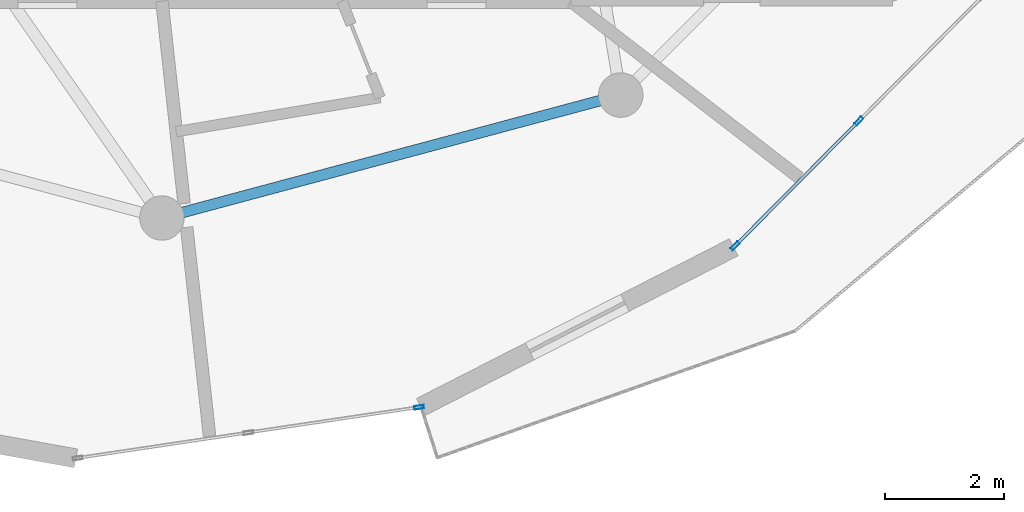
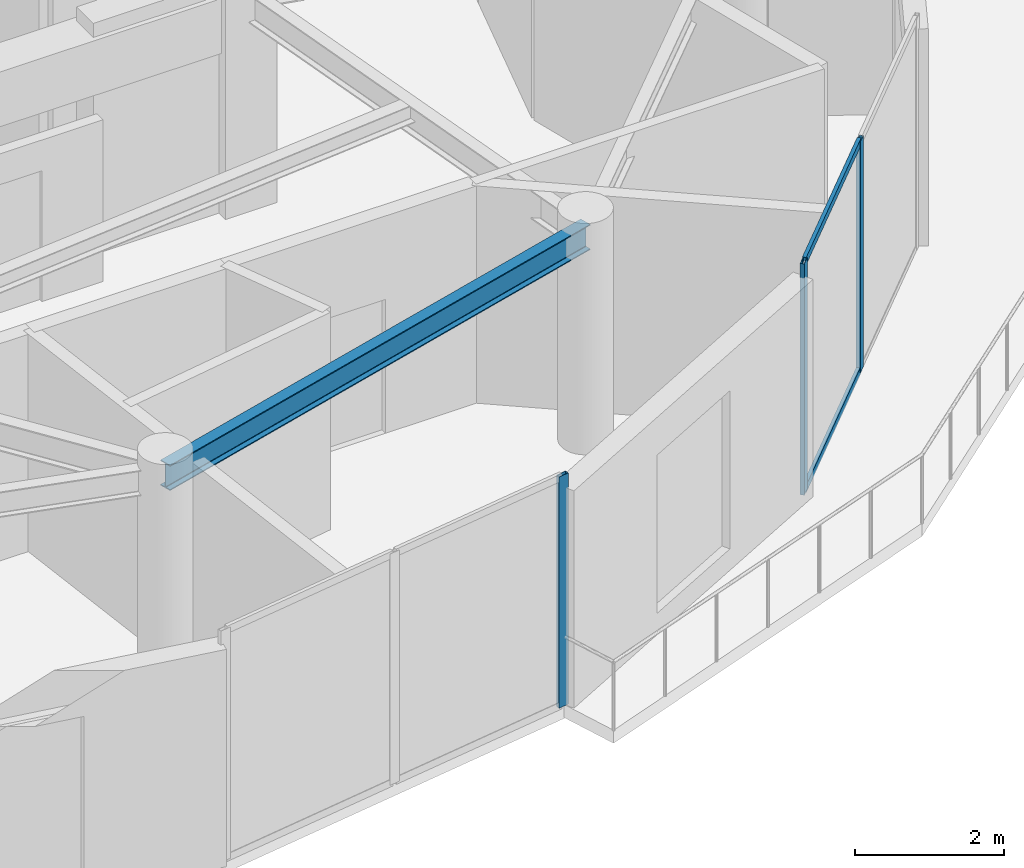
# One storey, part 5 of 23: 5 members, 1 beam, 2 elements without a shape of their own.
"""IFC4 building model written with IfcOpenShell, lengths in metres."""

from ifc_helpers import new_model, si_unit, direction, frame, origin, origin_2d, place, context, subcontext, project, spatial, hollow_rectangle, i_section, extrude, source, transform, mapped, material, layer, layer_set, material_profile, profile_set, type_object, element, aggregate, save


model = new_model("IFC4")

# Units and contexts
model_context = context("Model", 3, precision=1e-05, world=origin(), true_north=direction((0.0, 1.0)))
body_context = subcontext(model_context, "Body", "Model", "MODEL_VIEW")
ifc_project = project(units=[si_unit("LENGTHUNIT", "METRE"), si_unit("AREAUNIT", "SQUARE_METRE"), si_unit("VOLUMEUNIT", "CUBIC_METRE"), si_unit("PLANEANGLEUNIT", "RADIAN"), si_unit("MASSUNIT", "GRAM", prefix="KILO")], contexts=[model_context])

# Site, building, storey
site_placement = place(None, origin())
site = spatial("IfcSite", under=ifc_project, at=site_placement, CompositionType="ELEMENT")
building_placement = place(site_placement, origin())
building = spatial("IfcBuilding", under=site, at=building_placement, Name="Solvirekh Grand Hotel", CompositionType="ELEMENT")
storey_placement = place(building_placement, frame((0.0, 0.0, 282.0)))
storey = spatial("IfcBuildingStorey", under=building, at=storey_placement, Name="L73", CompositionType="ELEMENT", Elevation=282.0)

# Beam
ifc_material_1 = material(Name="Steel S355", Category="steel")
ifc_material_profile_1 = material_profile(ifc_material_1, i_section(OverallWidth=0.180908203125, OverallDepth=0.4169921875, WebThickness=0.010009765625, FlangeThickness=0.01611328125, FilletRadius=0.011962890625, at=origin_2d()), Name="W410X85")
ifc_profile_set_1 = profile_set([ifc_material_profile_1], Name="Steel S355")
beam_type = type_object("IfcBeamType", Name="Spandrel_Ring_W410", PredefinedType="SPANDREL", material=ifc_profile_set_1)
beam_placement = place(storey_placement, frame((0.0, -15.449951171875, 3.361083984375), z_axis=(0.965921616143, 0.258834757072, 0.0), x_axis=(-0.258834757072, 0.965921616143, 0.0)))
element("IfcBeam", 1, at=beam_placement, inside=storey, type_object=beam_type, Name="L73 perimeter spandrel beam 10", PredefinedType="SPANDREL", context=body_context, shape_type="SweptSolid", body=[
    extrude(i_section(OverallWidth=0.180908203125, OverallDepth=0.4169921875, WebThickness=0.010009765625, FlangeThickness=0.01611328125, FilletRadius=0.011962890625, at=origin_2d()), origin(), (0.0, 0.0, 1.0), 7.99755859375),
])

# Curtain wall, member
ifc_material_2 = material(Name="Anodized Bronze Aluminium 6063-T6", Category="aluminium")
ifc_layer = layer(ifc_material_2, 0.159912109375)
ifc_layer_set = layer_set([ifc_layer], Name="Anodized Bronze Aluminium 6063-T6")
curtain_wall_type = type_object("IfcCurtainWallType", Name="CW_Sys4_HighZoneFlushBronzeCW", PredefinedType="NOTDEFINED", material=ifc_layer_set)
curtain_wall_1_placement = place(storey_placement, origin())
curtain_wall_1 = element("IfcCurtainWall", 2, at=curtain_wall_1_placement, inside=storey, type_object=curtain_wall_type, Name="L73 unitised bronze-glass curtain wall CW-L73-C01", PredefinedType="NOTDEFINED")
ifc_material_profile_2 = material_profile(ifc_material_2, hollow_rectangle(XDim=0.06005859375, YDim=0.159912109375, WallThickness=0.0048828125, at=origin_2d()), Name="ALU RHS 160X60X5")
ifc_profile_set_2 = profile_set([ifc_material_profile_2], Name="Anodized Bronze Aluminium 6063-T6")
member_type_1 = type_object("IfcMemberType", Name="CWMullion_Sys4", PredefinedType="MULLION", material=ifc_profile_set_2)
shared_shape_1 = source(origin(), body_context, "Body", "SweptSolid", [
    extrude(hollow_rectangle(XDim=0.06005859375, YDim=0.159912109375, WallThickness=0.0048828125, at=origin_2d()), origin(), (0.0, 0.0, 1.0), 3.800048828125),
])
member_1_placement = place(storey_placement, frame((4.329345703125, -18.636474609375, 0.0), z_axis=(0.0, 0.0, 1.0), x_axis=(-0.147474354669, 0.989065879866, 0.0)))
member_1 = element("IfcMember", 3, at=member_1_placement, type_object=member_type_1, Name="U04 mullion 3", PredefinedType="MULLION", context=body_context, shape_type="MappedRepresentation", body=[
    mapped(shared_shape_1, transform((0.0, 0.0, 0.0), x_axis=(1.0, 0.0, 0.0), y_axis=(0.0, 1.0, 0.0), z_axis=(0.0, 0.0, 1.0), scale=1.0)),
])
aggregate(curtain_wall_1, [member_1])

# Curtain wall, members
curtain_wall_2_placement = place(storey_placement, origin())
curtain_wall_2 = element("IfcCurtainWall", 4, at=curtain_wall_2_placement, inside=storey, type_object=curtain_wall_type, Name="L73 unitised bronze-glass curtain wall CW-L73-C03", PredefinedType="NOTDEFINED")
member_2_placement = place(storey_placement, frame((9.648193359375, -15.921630859375, 0.0), z_axis=(0.0, 0.0, 1.0), x_axis=(-0.710107901084, 0.704092869456, 0.0)))
member_2 = element("IfcMember", 5, at=member_2_placement, type_object=member_type_1, Name="U04 mullion 1", PredefinedType="MULLION", context=body_context, shape_type="MappedRepresentation", body=[
    mapped(shared_shape_1, transform((0.0, 0.0, 0.0), x_axis=(1.0, 0.0, 0.0), y_axis=(0.0, 1.0, 0.0), z_axis=(0.0, 0.0, 1.0), scale=1.0)),
])
member_3_placement = place(storey_placement, frame((11.73388671875, -13.818115234375, 0.0), z_axis=(0.0, 0.0, 1.0), x_axis=(-0.710107901084, 0.704092869456, 0.0)))
member_3 = element("IfcMember", 6, at=member_3_placement, type_object=member_type_1, Name="U04 mullion 2", PredefinedType="MULLION", context=body_context, shape_type="MappedRepresentation", body=[
    mapped(shared_shape_1, transform((0.0, 0.0, 0.0), x_axis=(1.0, 0.0, 0.0), y_axis=(0.0, 1.0, 0.0), z_axis=(0.0, 0.0, 1.0), scale=1.0)),
])
ifc_material_profile_3 = material_profile(ifc_material_2, hollow_rectangle(XDim=0.054931640625, YDim=0.1201171875, WallThickness=0.00390625, at=origin_2d()), Name="ALU RHS 120X55X4")
ifc_profile_set_3 = profile_set([ifc_material_profile_3], Name="Anodized Bronze Aluminium 6063-T6")
member_type_2 = type_object("IfcMemberType", Name="CWTransom_Sys4", PredefinedType="USERDEFINED", material=ifc_profile_set_3)
shared_shape_2 = source(origin(), body_context, "Body", "SweptSolid", [
    extrude(hollow_rectangle(XDim=0.054931640625, YDim=0.1201171875, WallThickness=0.00390625, at=origin_2d()), origin(), (0.0, 0.0, 1.0), 2.902587890625),
])
member_4_placement = place(storey_placement, frame((9.669189453125, -15.900390625, 0.027587890625), z_axis=(0.704114445646, 0.710086507006, 0.0), x_axis=(-0.710086507006, 0.704114445646, 0.0)))
member_4 = element("IfcMember", 7, at=member_4_placement, type_object=member_type_2, Name="U04 transom 1.1", ObjectType="TRANSOM", PredefinedType="USERDEFINED", context=body_context, shape_type="MappedRepresentation", body=[
    mapped(shared_shape_2, transform((0.0, 0.0, 0.0), x_axis=(1.0, 0.0, 0.0), y_axis=(0.0, 1.0, 0.0), z_axis=(0.0, 0.0, 1.0), scale=1.0)),
])
member_5_placement = place(storey_placement, frame((9.669189453125, -15.900390625, 3.7724609375), z_axis=(0.704114445646, 0.710086507006, 0.0), x_axis=(-0.710086507006, 0.704114445646, 0.0)))
member_5 = element("IfcMember", 8, at=member_5_placement, type_object=member_type_2, Name="U04 transom 1.2", ObjectType="TRANSOM", PredefinedType="USERDEFINED", context=body_context, shape_type="MappedRepresentation", body=[
    mapped(shared_shape_2, transform((0.0, 0.0, 0.0), x_axis=(1.0, 0.0, 0.0), y_axis=(0.0, 1.0, 0.0), z_axis=(0.0, 0.0, 1.0), scale=1.0)),
])
aggregate(curtain_wall_2, [member_2, member_3, member_4, member_5])

save(model, "model.ifc")
